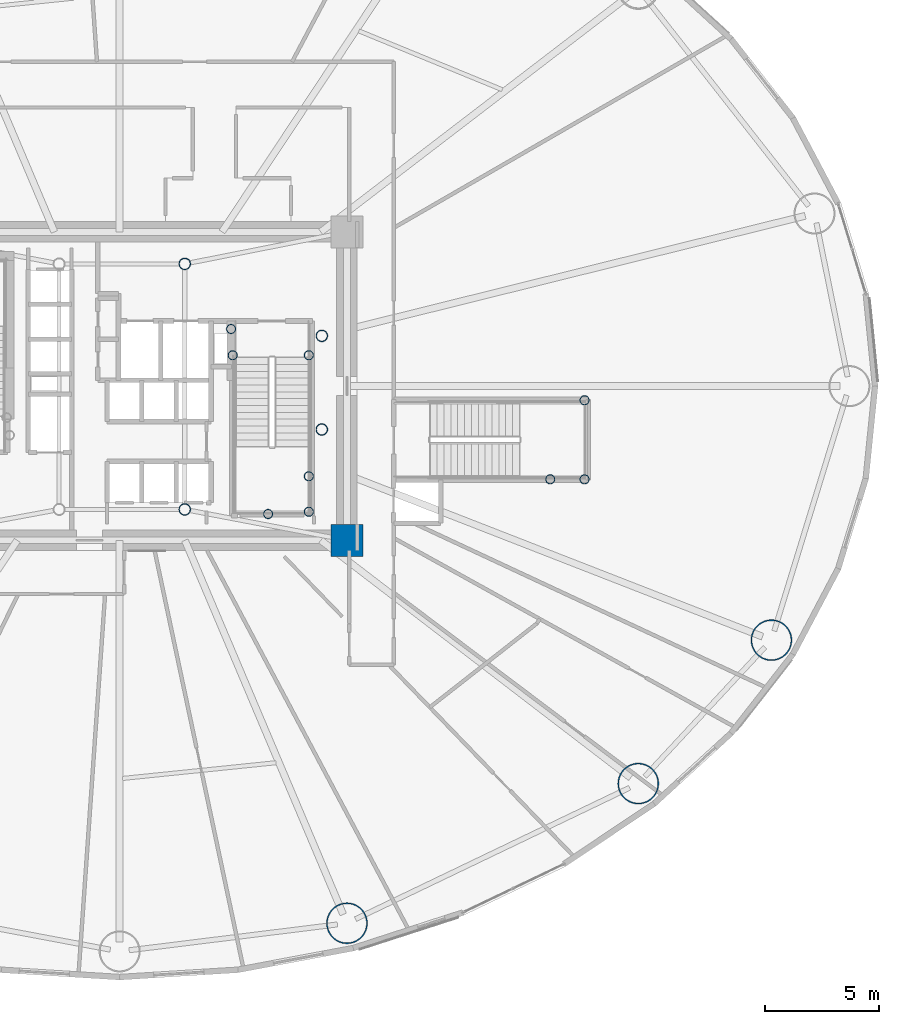
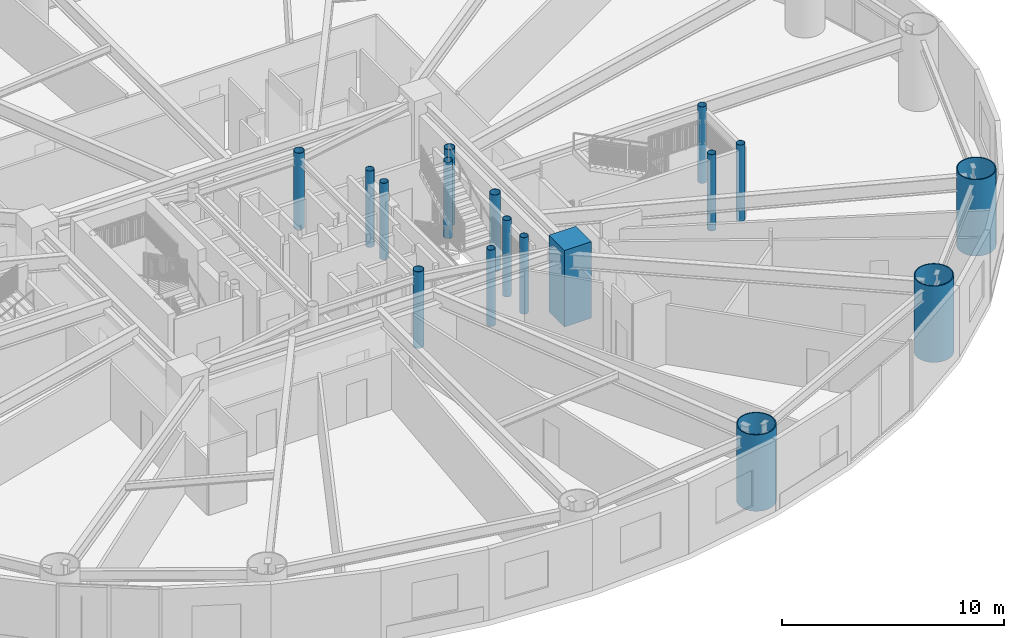
# One storey, part 2 of 27: 17 columns.
"""IFC4 building model written with IfcOpenShell, lengths in metres."""

from ifc_helpers import new_model, si_unit, direction, frame, origin, origin_2d, place, context, subcontext, project, spatial, rectangle, hollow_circle, extrude, material, material_profile, profile_set, type_object, element, save


model = new_model("IFC4")

# Units and contexts
model_context = context("Model", 3, precision=1e-05, world=origin(), true_north=direction((0.0, 1.0)))
body_context = subcontext(model_context, "Body", "Model", "MODEL_VIEW")
ifc_project = project(units=[si_unit("LENGTHUNIT", "METRE"), si_unit("AREAUNIT", "SQUARE_METRE"), si_unit("VOLUMEUNIT", "CUBIC_METRE"), si_unit("PLANEANGLEUNIT", "RADIAN"), si_unit("MASSUNIT", "GRAM", prefix="KILO")], contexts=[model_context])

# Site, building, storey
site_placement = place(None, origin())
site = spatial("IfcSite", under=ifc_project, at=site_placement, CompositionType="ELEMENT")
building_placement = place(site_placement, origin())
building = spatial("IfcBuilding", under=site, at=building_placement, Name="Linh Dai School and Residence Tower", CompositionType="ELEMENT")
storey_placement = place(building_placement, frame((0.0, 0.0, 18.60009765625)))
storey = spatial("IfcBuildingStorey", under=building, at=storey_placement, Name="L04", CompositionType="ELEMENT", Elevation=18.60009765625)

# Columns
ifc_material_1 = material(Name="Concrete B60 (C50/60)", Category="concrete")
ifc_material_profile_1 = material_profile(ifc_material_1, rectangle(XDim=1.39990234375, YDim=1.39990234375, at=origin_2d()), Name="RC 1400x1400")
ifc_profile_set_1 = profile_set([ifc_material_profile_1], Name="Concrete B60 (C50/60)")
column_type_1 = type_object("IfcColumnType", Name="COL-CC1", PredefinedType="COLUMN", material=ifc_profile_set_1)
column_placement = place(storey_placement, frame((45.949951171875, 20.25, 0.0), z_axis=(0.0, 0.0, 1.0), x_axis=(1.0, 0.0, 0.0)))
element("IfcColumn", 1, at=column_placement, inside=storey, type_object=column_type_1, Name="L04 Core Corner Pier CC2", PredefinedType="COLUMN", context=body_context, shape_type="SweptSolid", body=[
    extrude(rectangle(XDim=1.39990234375, YDim=1.39990234375, at=origin_2d()), origin(), (0.0, 0.0, 1.0), 4.199951171875),
])
ifc_material_2 = material(Name="Structural Steel S355JR", Category="steel")
ifc_material_profile_2 = material_profile(ifc_material_2, hollow_circle(Radius=0.203125, WallThickness=0.01611328125, at=origin_2d()), Name="CHS 406.4x16")
ifc_profile_set_2 = profile_set([ifc_material_profile_2], Name="Structural Steel S355JR")
column_type_2 = type_object("IfcColumnType", Name="COL-EC", PredefinedType="COLUMN", material=ifc_profile_set_2)
for number, where, z_axis, x_axis, name in (
    (2, (44.280029296875, 21.5, 0.0), (0.0, 0.0, 1.0), (1.0, 0.0, 0.0), "L04 Stair Shaft Landing Support Pier ST2SE"),
    (3, (44.280029296875, 23.050048828125, 0.0), (0.0, 0.0, 1.0), (1.0, 0.0, 0.0), "L04 Stair Shaft Landing Support Pier ST2NE"),
    (4, (42.5, 21.39990234375, 0.0), (0.0, 0.0, 1.0), (1.0, 0.0, 0.0), "L04 Stair Shaft Landing Support Pier ST2MS"),
    (5, (40.949951171875, 28.35009765625, 0.0), (0.0, 0.0, 1.0), (1.0, 0.0, 0.0), "L04 Stair Shaft Landing Support Pier ST2N1"),
    (6, (44.280029296875, 28.35009765625, 0.0), (0.0, 0.0, 1.0), (1.0, 0.0, 0.0), "L04 Stair Shaft Landing Support Pier ST2N2"),
    (7, (40.8798828125, 29.5, 0.0), (0.0, 0.0, 1.0), (1.0, 0.0, 0.0), "L04 Stair Shaft Landing Support Pier ST2N3"),
    (8, (56.35009765625, 26.3798828125, 0.0), (0.0, 0.0, 1.0), (1.0, 0.0, 0.0), "L04 Stair Shaft Landing Support Pier STS2NE"),
    (9, (56.35009765625, 22.919921875, 0.0), (0.0, 0.0, 1.0), (1.0, 0.0, 0.0), "L04 Stair Shaft Landing Support Pier STS2SE"),
    (10, (54.85009765625, 22.919921875, 0.0), (0.0, 0.0, 1.0), (1.0, 0.0, 0.0), "L04 Stair Shaft Landing Support Pier STS2MW"),
):
    element("IfcColumn", number, at=place(storey_placement, frame(where, z_axis=z_axis, x_axis=x_axis)), inside=storey, type_object=column_type_2, Name=name, PredefinedType="COLUMN", context=body_context, shape_type="SweptSolid", body=[
        extrude(hollow_circle(Radius=0.203125, WallThickness=0.01611328125, at=origin_2d()), origin(), (0.0, 0.0, 1.0), 4.199951171875),
    ])
ifc_material_profile_3 = material_profile(ifc_material_2, hollow_circle(Radius=0.89990234375, WallThickness=0.050048828125, at=origin_2d()), Name="CHS 1800x50")
ifc_profile_set_3 = profile_set([ifc_material_profile_3], Name="Structural Steel S355JR")
column_type_3 = type_object("IfcColumnType", Name="COL-MC1", PredefinedType="COLUMN", material=ifc_profile_set_3)
for number, where, z_axis, x_axis, name in (
    (11, (45.951171875, 3.48388671875, 0.0), (0.0, 0.0, 1.0), (1.0, 0.0, 0.0), "L04 Perimeter CFT Mega-Column MC14"),
    (12, (58.705322265625, 9.599365234375, 0.0), (0.0, 0.0, 1.0), (1.0, 0.0, 0.0), "L04 Perimeter CFT Mega-Column MC15"),
    (13, (64.53369140625, 15.8779296875, 0.0), (0.0, 0.0, 1.0), (1.0, 0.0, 0.0), "L04 Perimeter CFT Mega-Column MC16"),
):
    element("IfcColumn", number, at=place(storey_placement, frame(where, z_axis=z_axis, x_axis=x_axis)), inside=storey, type_object=column_type_3, Name=name, PredefinedType="COLUMN", context=body_context, shape_type="SweptSolid", body=[
        extrude(hollow_circle(Radius=0.89990234375, WallThickness=0.050048828125, at=origin_2d()), origin(), (0.0, 0.0, 1.0), 4.199951171875),
    ])
ifc_material_profile_4 = material_profile(ifc_material_2, hollow_circle(Radius=0.25390625, WallThickness=0.02001953125, at=origin_2d()), Name="CHS 508x20")
ifc_profile_set_4 = profile_set([ifc_material_profile_4], Name="Structural Steel S355JR")
column_type_4 = type_object("IfcColumnType", Name="COL-MCP", PredefinedType="COLUMN", material=ifc_profile_set_4)
for number, where, z_axis, x_axis, name in (
    (14, (38.85009765625, 21.60009765625, 0.0), (0.0, 0.0, 1.0), (1.0, 0.0, 0.0), "L04 Core Mast Support Pier MCP2"),
    (15, (38.85009765625, 32.35009765625, 0.0), (0.0, 0.0, 1.0), (1.0, 0.0, 0.0), "L04 Core Mast Support Pier MCP3"),
    (16, (44.85009765625, 25.10009765625, 0.0), (0.0, 0.0, 1.0), (1.0, 0.0, 0.0), "L04 Sky-Lounge Core Anchor Pier S"),
    (17, (44.85009765625, 29.199951171875, 0.0), (0.0, 0.0, 1.0), (1.0, 0.0, 0.0), "L04 Sky-Lounge Core Anchor Pier N"),
):
    element("IfcColumn", number, at=place(storey_placement, frame(where, z_axis=z_axis, x_axis=x_axis)), inside=storey, type_object=column_type_4, Name=name, PredefinedType="COLUMN", context=body_context, shape_type="SweptSolid", body=[
        extrude(hollow_circle(Radius=0.25390625, WallThickness=0.02001953125, at=origin_2d()), origin(), (0.0, 0.0, 1.0), 4.199951171875),
    ])

save(model, "model.ifc")
